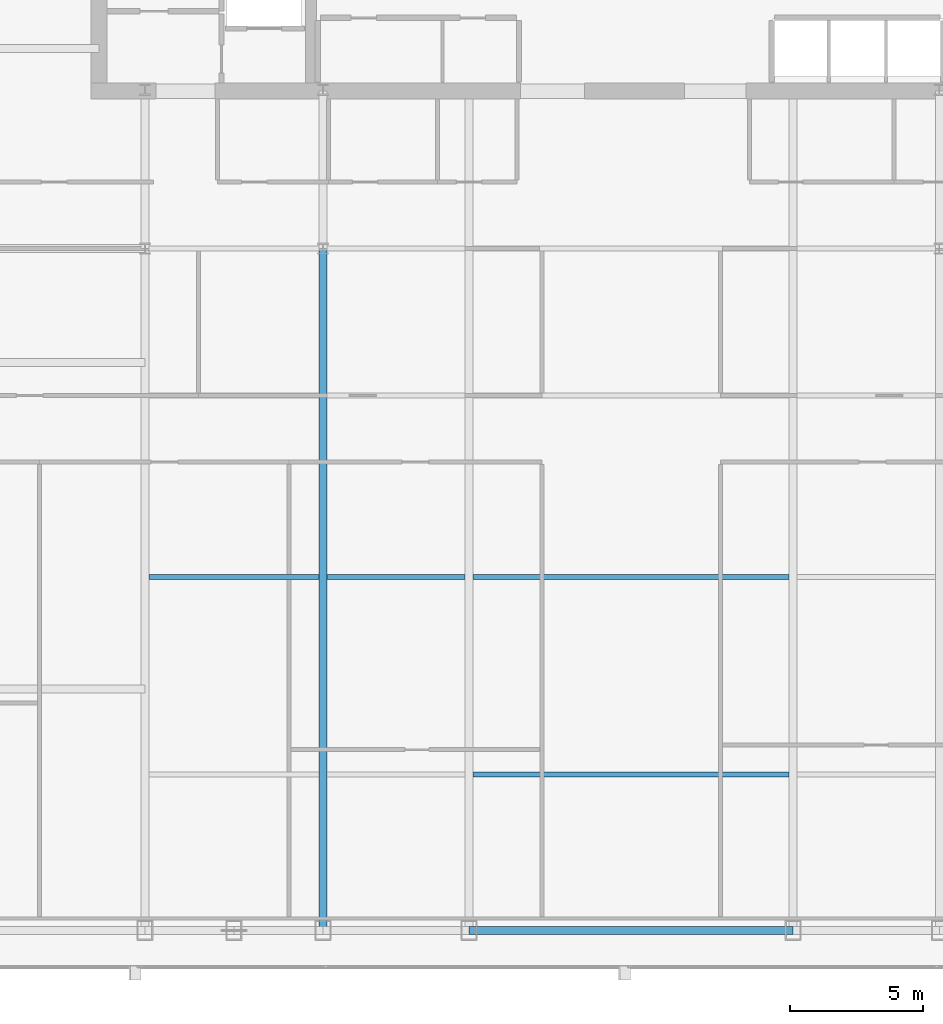
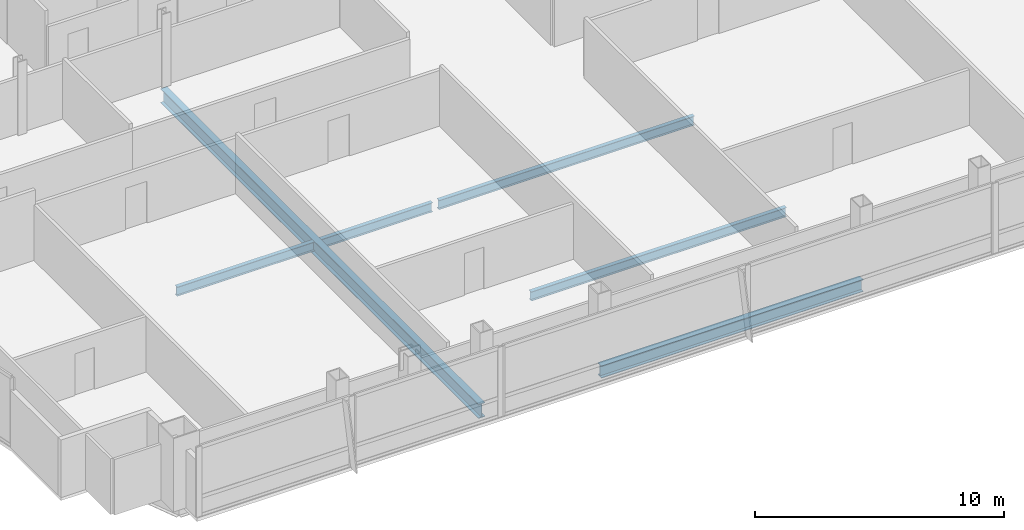
# One storey, part 9 of 30: 6 beams.
"""IFC4 building model written with IfcOpenShell, lengths in metres."""

import ifcopenshell
import ifcopenshell.guid

model = None  # the IFC model being written
_history = None  # IfcOwnerHistory: only IFC2X3 demands one
_inside = {}  # id of a spatial element -> (the spatial element, [elements in it])
_under = {}  # id of a project, library or spatial element -> (it, [spatial elements below it])
_declared = {}  # id of a project -> (the project, [libraries it declares])
_typed = {}  # id of a type object -> (the type object, [elements of that type])
_made_of = {}  # id of a material, layer set ... -> (it, [elements and type objects made of it])


def new_model(schema):
    """Start an empty IFC model of exactly this schema.

    Asked for "IFC4X3", IfcOpenShell would pick the latest addendum, in which some entities
    have other attributes; the version numbers below select the first issue.
    IFC2X3 requires an IfcOwnerHistory on every rooted entity: one is made here for all.
    """
    global model, _history
    if schema == "IFC4X3":
        model = ifcopenshell.file(schema_version=(4, 3, 0, 0))
    else:
        model = ifcopenshell.file(schema=schema)
    _inside.clear()
    _under.clear()
    _declared.clear()
    _typed.clear()
    _made_of.clear()
    _history = None
    if model.schema == "IFC2X3":
        org = make("IfcOrganization", Name="unknown")
        user = make(
            "IfcPersonAndOrganization",
            ThePerson=make("IfcPerson", FamilyName="unknown"),
            TheOrganization=org,
        )
        app = make(
            "IfcApplication",
            ApplicationDeveloper=org,
            Version="unknown",
            ApplicationFullName="unknown",
            ApplicationIdentifier="unknown",
        )
        _history = make(
            "IfcOwnerHistory",
            OwningUser=user,
            OwningApplication=app,
            ChangeAction="ADDED",
            CreationDate=0,
        )
    return model


def make(cls, **values):
    """One entity of the class cls with the attributes given. An attribute that is None is left unset."""
    return model.create_entity(
        cls, **{name: value for name, value in values.items() if value is not None}
    )


def rooted(cls, **values):
    """An entity with a GlobalId (a new one), such as an element, a storey or a relation."""
    return make(cls, GlobalId=ifcopenshell.guid.new(), OwnerHistory=_history, **values)


def si_unit(unit_type, name, prefix=None):
    """IfcSIUnit, for example si_unit("LENGTHUNIT", "METRE", prefix="MILLI")."""
    return make("IfcSIUnit", UnitType=unit_type, Prefix=prefix, Name=name)


def assignment(units):
    """IfcUnitAssignment: the units of a project."""
    return None if units is None else make("IfcUnitAssignment", Units=units)


def point(xyz):
    """IfcCartesianPoint."""
    return None if xyz is None else make("IfcCartesianPoint", Coordinates=xyz)


def direction(xyz):
    """IfcDirection."""
    return None if xyz is None else make("IfcDirection", DirectionRatios=xyz)


def frame(location, z_axis=None, x_axis=None):
    """IfcAxis2Placement3D, a coordinate frame: its origin and axes. An axis left out is left unset."""
    return make(
        "IfcAxis2Placement3D",
        Location=point(location),
        Axis=direction(z_axis),
        RefDirection=direction(x_axis),
    )


def frame_2d(location, x_axis=None):
    """IfcAxis2Placement2D, a coordinate frame in the plane: its origin and x axis."""
    return make(
        "IfcAxis2Placement2D", Location=point(location), RefDirection=direction(x_axis)
    )


def origin():
    """The frame at (0, 0, 0) with its axes left unset."""
    return frame((0.0, 0.0, 0.0))


def origin_2d():
    """The frame at (0, 0) in the plane with its x axis left unset."""
    return frame_2d((0.0, 0.0))


def place(relative_to, where):
    """IfcLocalPlacement: puts the frame where relative to a parent placement (None: the world)."""
    return make(
        "IfcLocalPlacement", PlacementRelTo=relative_to, RelativePlacement=where
    )


def context(
    kind, dimensions, precision=None, world=None, true_north=None, identifier=None
):
    """IfcGeometricRepresentationContext, for example the 3D "Model" context."""
    return make(
        "IfcGeometricRepresentationContext",
        ContextIdentifier=identifier,
        ContextType=kind,
        CoordinateSpaceDimension=dimensions,
        Precision=precision,
        WorldCoordinateSystem=world,
        TrueNorth=true_north,
    )


def subcontext(parent, identifier, kind, view, scale=None):
    """IfcGeometricRepresentationSubContext, for example "Body" below "Model"."""
    return make(
        "IfcGeometricRepresentationSubContext",
        ContextIdentifier=identifier,
        ContextType=kind,
        ParentContext=parent,
        TargetScale=scale,
        TargetView=view,
    )


def project(units=None, contexts=None):
    """IfcProject with its units and contexts."""
    return rooted(
        "IfcProject",
        Name="project",
        RepresentationContexts=contexts,
        UnitsInContext=assignment(units),
    )


def spatial(cls, under=None, at=None, **own):
    """A site, building, storey or space (cls), placed at a placement, below another one or the project."""
    s = rooted(cls, ObjectPlacement=at, **own)
    if under is not None:
        _under.setdefault(under.id(), (under, []))[1].append(s)
    return s


def profile(cls, at=None, kind="AREA", **sizes):
    """A parametric profile (cls). Its sizes go by their IFC names, for example OverallWidth=200.0."""
    return make(cls, ProfileType=kind, Position=at, **sizes)


def i_section(**sizes):
    """IfcIShapeProfileDef."""
    return profile("IfcIShapeProfileDef", **sizes)


def extrude(swept, where, along, depth):
    """IfcExtrudedAreaSolid: the profile swept, set in the frame where, extruded along a direction by depth."""
    return make(
        "IfcExtrudedAreaSolid",
        SweptArea=swept,
        Position=where,
        ExtrudedDirection=direction(along),
        Depth=depth,
    )


def shape(context_of_items, identifier, shape_type, items):
    """IfcShapeRepresentation: the items that make up one representation, for example the "Body"."""
    return make(
        "IfcShapeRepresentation",
        ContextOfItems=context_of_items,
        RepresentationIdentifier=identifier,
        RepresentationType=shape_type,
        Items=items,
    )


def material(Name=None, Category=None):
    """IfcMaterial."""
    return make("IfcMaterial", Name=Name, Category=Category)


def material_profile(
    of_material, cross_section, Name=None, Category=None, Priority=None
):
    """IfcMaterialProfile: a cross section and its material."""
    return make(
        "IfcMaterialProfile",
        Name=Name,
        Material=of_material,
        Profile=cross_section,
        Priority=Priority,
        Category=Category,
    )


def profile_set(profiles, Name=None, composite=None):
    """IfcMaterialProfileSet."""
    return make(
        "IfcMaterialProfileSet",
        Name=Name,
        MaterialProfiles=profiles,
        CompositeProfile=composite,
    )


def made_of(thing, what):
    """Note that an element or type object is made of a material, layer set ...; save() writes the relation."""
    if what is not None:
        _made_of.setdefault(what.id(), (what, []))[1].append(thing)
    return thing


def type_object(cls, material=None, **own):
    """A type object (cls), such as IfcWallType, which elements share."""
    return made_of(rooted(cls, **own), material)


def element(
    cls,
    number,
    at=None,
    inside=None,
    cuts=None,
    type_object=None,
    material=None,
    context=None,
    identifier="Body",
    shape_type=None,
    held_by="IfcProductDefinitionShape",
    body=None,
    shapes=None,
    **own,
):
    """One element of the class cls, such as IfcWall. Its Tag is "e" and its number.

    at: its placement. inside: the storey or other place that contains it. cuts: it is an
    opening in that element (IfcRelVoidsElement). A single representation is given by context,
    identifier, shape_type and body (its items); several are given by shapes. held_by: the class
    of the entity that holds the representations. save() writes the other relations.
    """
    e = rooted(cls, Tag="e%d" % number, ObjectPlacement=at, **own)
    if body is not None:
        shapes = [shape(context, identifier, shape_type, body)]
    if shapes is not None:
        e.Representation = make(held_by, Representations=shapes)
    if inside is not None:
        _inside.setdefault(inside.id(), (inside, []))[1].append(e)
    if cuts is not None:
        rooted(
            "IfcRelVoidsElement", RelatingBuildingElement=cuts, RelatedOpeningElement=e
        )
    if type_object is not None:
        _typed.setdefault(type_object.id(), (type_object, []))[1].append(e)
    return made_of(e, material)


def aggregate(whole, parts):
    """IfcRelAggregates: a whole, such as a stair, and the parts it consists of."""
    return rooted("IfcRelAggregates", RelatingObject=whole, RelatedObjects=parts)


def save(model, path):
    """Write the relations noted so far, then the file.

    IfcRelAggregates (storeys below a building ...), IfcRelContainedInSpatialStructure (elements
    in a storey), IfcRelDefinesByType, IfcRelAssociatesMaterial and IfcRelDeclares: one each for
    every whole, place, type object, material and project.
    """
    for whole, parts in _under.values():
        aggregate(whole, parts)
    for where, things in _inside.values():
        rooted(
            "IfcRelContainedInSpatialStructure",
            RelatedElements=things,
            RelatingStructure=where,
        )
    for kind, things in _typed.values():
        rooted("IfcRelDefinesByType", RelatedObjects=things, RelatingType=kind)
    for what, things in _made_of.values():
        rooted("IfcRelAssociatesMaterial", RelatedObjects=things, RelatingMaterial=what)
    for by, libraries in _declared.values():
        rooted("IfcRelDeclares", RelatingContext=by, RelatedDefinitions=libraries)
    model.write(path)


model = new_model("IFC4")

# Units and contexts
model_context = context("Model", 3, precision=1e-05, world=origin(), true_north=direction((0.0, 1.0)))
body_context = subcontext(model_context, "Body", "Model", "MODEL_VIEW")
ifc_project = project(units=[si_unit("LENGTHUNIT", "METRE"), si_unit("AREAUNIT", "SQUARE_METRE"), si_unit("VOLUMEUNIT", "CUBIC_METRE"), si_unit("PLANEANGLEUNIT", "RADIAN"), si_unit("MASSUNIT", "GRAM", prefix="KILO")], contexts=[model_context])

# Site, building, storey
site_placement = place(None, origin())
site = spatial("IfcSite", under=ifc_project, at=site_placement, CompositionType="ELEMENT")
building_placement = place(site_placement, origin())
building = spatial("IfcBuilding", under=site, at=building_placement, Name="Khoronbel Lancet Exchange", CompositionType="ELEMENT")
storey_placement = place(building_placement, frame((0.0, 0.0, 206.60009765625)))
storey = spatial("IfcBuildingStorey", under=building, at=storey_placement, Name="L52", CompositionType="ELEMENT", Elevation=206.60009765625)

# Beams
ifc_material = material(Name="Steel S355", Category="steel")
ifc_material_profile_1 = material_profile(ifc_material, i_section(OverallWidth=0.300048828125, OverallDepth=0.699951171875, WebThickness=0.01708984375, FlangeThickness=0.031982421875, at=origin_2d()), Name="HEB 700")
ifc_profile_set_1 = profile_set([ifc_material_profile_1], Name="Steel S355")
beam_type_1 = type_object("IfcBeamType", Name="BM-BG3", PredefinedType="BEAM", material=ifc_profile_set_1)
beam_1_placement = place(storey_placement, frame((24.89990234375, 10.14990234375, -0.510009765625), z_axis=(0.0, 1.0, 0.0), x_axis=(-1.0, 0.0, 0.0)))
element("IfcBeam", 1, at=beam_1_placement, inside=storey, type_object=beam_type_1, Name="Level L52 south primary girder GS2", PredefinedType="BEAM", context=body_context, shape_type="SweptSolid", body=[
    extrude(i_section(OverallWidth=0.300048828125, OverallDepth=0.699951171875, WebThickness=0.01708984375, FlangeThickness=0.031982421875, at=origin_2d()), origin(), (0.0, 0.0, 1.0), 25.550048828125),
])
ifc_material_profile_2 = material_profile(ifc_material, i_section(OverallWidth=0.18994140625, OverallDepth=0.449951171875, WebThickness=0.009521484375, FlangeThickness=0.0146484375, at=origin_2d()), Name="IPE 450")
ifc_profile_set_2 = profile_set([ifc_material_profile_2], Name="Steel S355")
beam_type_2 = type_object("IfcBeamType", Name="BM-BJ4", PredefinedType="JOIST", material=ifc_profile_set_2)
beam_2_placement = place(storey_placement, frame((30.52490234375, 16.0, -0.385009765625), z_axis=(1.0, 0.0, 0.0), x_axis=(0.0, 1.0, 0.0)))
element("IfcBeam", 2, at=beam_2_placement, inside=storey, type_object=beam_type_2, Name="Level L52 secondary composite joist J03", PredefinedType="JOIST", context=body_context, shape_type="SweptSolid", body=[
    extrude(i_section(OverallWidth=0.18994140625, OverallDepth=0.449951171875, WebThickness=0.009521484375, FlangeThickness=0.0146484375, at=origin_2d()), origin(), (0.0, 0.0, 1.0), 11.85009765625),
])
beam_3_placement = place(storey_placement, frame((18.375, 23.39990234375, -0.385009765625), z_axis=(1.0, 0.0, 0.0), x_axis=(0.0, 1.0, 0.0)))
element("IfcBeam", 3, at=beam_3_placement, inside=storey, type_object=beam_type_2, Name="Level L52 secondary composite joist J06", PredefinedType="JOIST", context=body_context, shape_type="SweptSolid", body=[
    extrude(i_section(OverallWidth=0.18994140625, OverallDepth=0.449951171875, WebThickness=0.009521484375, FlangeThickness=0.0146484375, at=origin_2d()), origin(), (0.0, 0.0, 1.0), 6.375),
])
beam_4_placement = place(storey_placement, frame((25.050048828125, 23.39990234375, -0.385009765625), z_axis=(1.0, 0.0, 0.0), x_axis=(0.0, 1.0, 0.0)))
element("IfcBeam", 4, at=beam_4_placement, inside=storey, type_object=beam_type_2, Name="Level L52 secondary composite joist J07", PredefinedType="JOIST", context=body_context, shape_type="SweptSolid", body=[
    extrude(i_section(OverallWidth=0.18994140625, OverallDepth=0.449951171875, WebThickness=0.009521484375, FlangeThickness=0.0146484375, at=origin_2d()), origin(), (0.0, 0.0, 1.0), 5.175048828125),
])
beam_5_placement = place(storey_placement, frame((30.52490234375, 23.39990234375, -0.385009765625), z_axis=(1.0, 0.0, 0.0), x_axis=(0.0, 1.0, 0.0)))
element("IfcBeam", 5, at=beam_5_placement, inside=storey, type_object=beam_type_2, Name="Level L52 secondary composite joist J08", PredefinedType="JOIST", context=body_context, shape_type="SweptSolid", body=[
    extrude(i_section(OverallWidth=0.18994140625, OverallDepth=0.449951171875, WebThickness=0.009521484375, FlangeThickness=0.0146484375, at=origin_2d()), origin(), (0.0, 0.0, 1.0), 11.85009765625),
])
ifc_material_profile_3 = material_profile(ifc_material, i_section(OverallWidth=0.300048828125, OverallDepth=0.60009765625, WebThickness=0.015380859375, FlangeThickness=0.030029296875, at=origin_2d()), Name="HEB 600")
ifc_profile_set_3 = profile_set([ifc_material_profile_3], Name="Steel S355")
beam_type_3 = type_object("IfcBeamType", Name="BM-BSP2", PredefinedType="SPANDREL", material=ifc_profile_set_3)
beam_6_placement = place(storey_placement, frame((30.375, 10.14990234375, -0.460205078125), z_axis=(1.0, 0.0, 0.0), x_axis=(0.0, 1.0, 0.0)))
element("IfcBeam", 6, at=beam_6_placement, inside=storey, type_object=beam_type_3, Name="Level L52 perimeter spandrel beam SP05", PredefinedType="SPANDREL", context=body_context, shape_type="SweptSolid", body=[
    extrude(i_section(OverallWidth=0.300048828125, OverallDepth=0.60009765625, WebThickness=0.015380859375, FlangeThickness=0.030029296875, at=origin_2d()), origin(), (0.0, 0.0, 1.0), 12.14990234375),
])

save(model, "model.ifc")
